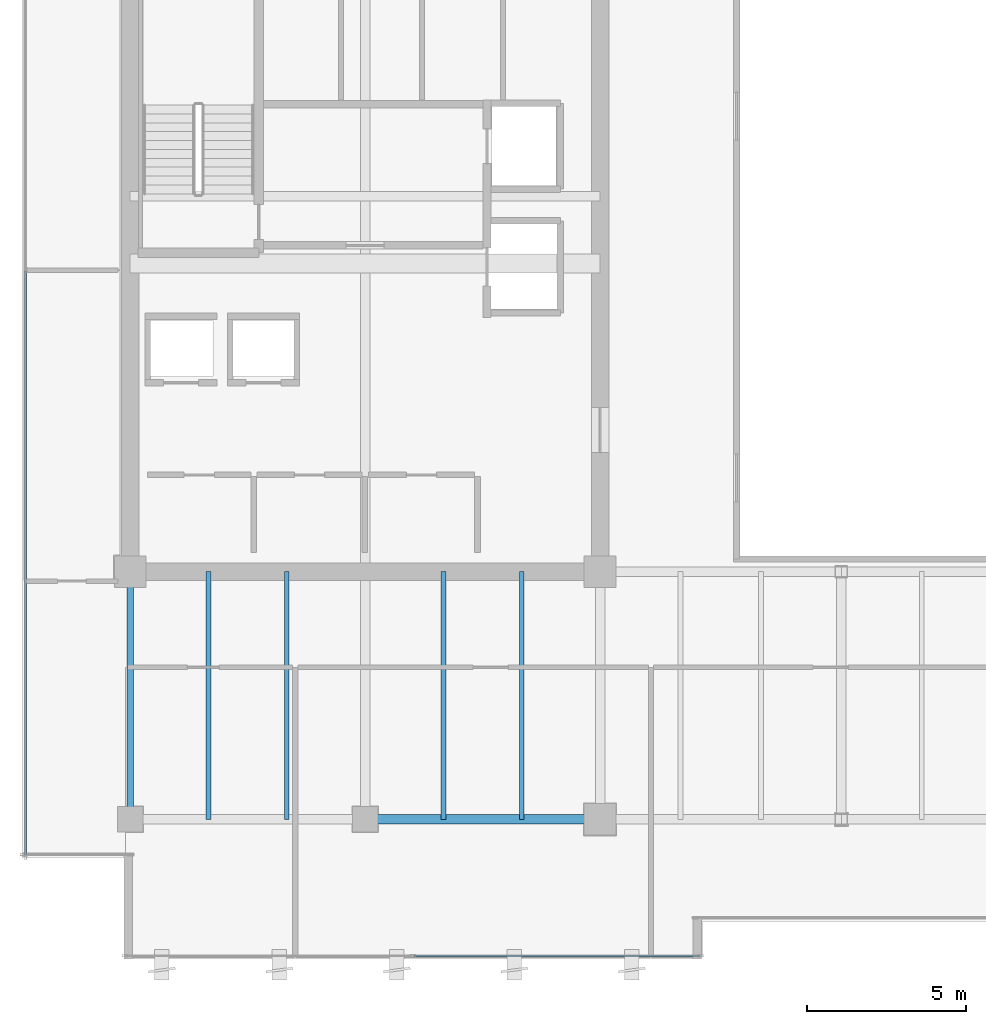
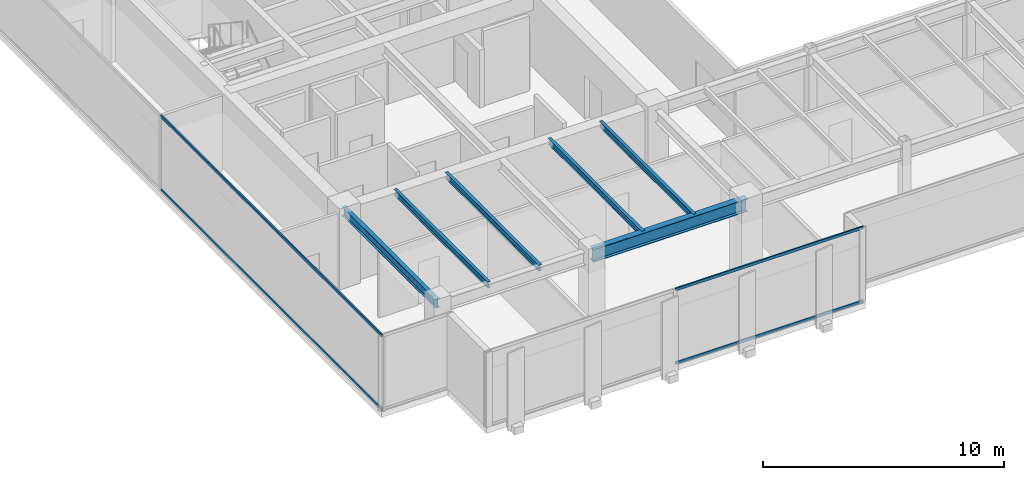
# One storey, part 6 of 36: 6 beams, 4 members, 2 elements without a shape of their own.
"""IFC4 building model written with IfcOpenShell, lengths in metres."""

from ifc_helpers import new_model, si_unit, direction, frame, origin, origin_2d, place, context, subcontext, project, spatial, hollow_rectangle, i_section, extrude, source, transform, mapped, material, layer, layer_set, material_profile, profile_set, type_object, type_shapes, element, aggregate, save


model = new_model("IFC4")

# Units and contexts
model_context = context("Model", 3, precision=1e-05, world=origin(), true_north=direction((0.0, 1.0)))
body_context = subcontext(model_context, "Body", "Model", "MODEL_VIEW")
ifc_project = project(units=[si_unit("LENGTHUNIT", "METRE"), si_unit("AREAUNIT", "SQUARE_METRE"), si_unit("VOLUMEUNIT", "CUBIC_METRE"), si_unit("PLANEANGLEUNIT", "RADIAN"), si_unit("MASSUNIT", "GRAM", prefix="KILO")], contexts=[model_context])

# Site, building, storey
site_placement = place(None, origin())
site = spatial("IfcSite", under=ifc_project, at=site_placement, CompositionType="ELEMENT")
building_placement = place(site_placement, origin())
building = spatial("IfcBuilding", under=site, at=building_placement, Name="Haelvirn Gate Laboratories", CompositionType="ELEMENT")
storey_placement = place(building_placement, frame((0.0, 0.0, 242.39990234375)))
storey = spatial("IfcBuildingStorey", under=building, at=storey_placement, Name="L58", CompositionType="ELEMENT", Elevation=242.39990234375)

# Beams
ifc_material_1 = material(Name="Steel SM355", Category="steel")
ifc_material_profile_1 = material_profile(ifc_material_1, i_section(OverallWidth=0.14990234375, OverallDepth=0.300048828125, WebThickness=0.006591796875, FlangeThickness=0.009033203125, at=origin_2d()), Name="H-300x150x6.5x9")
ifc_profile_set_1 = profile_set([ifc_material_profile_1], Name="Steel SM355")
beam_type_1 = type_object("IfcBeamType", Name="BM-J-300", PredefinedType="JOIST", material=ifc_profile_set_1)
shared_shape_1 = source(origin(), body_context, "Body", "SweptSolid", [
    extrude(i_section(OverallWidth=0.14990234375, OverallDepth=0.300048828125, WebThickness=0.006591796875, FlangeThickness=0.009033203125, at=origin_2d()), origin(), (0.0, 0.0, 1.0), 7.800048828125),
])
type_shapes(beam_type_1, [shared_shape_1])
for number, where, z_axis, x_axis, name in (
    (1, (9.8701171875, 7.0, 3.650146484375), (0.0, 1.0, 0.0), (-1.0, 0.0, 0.0), "L58 Composite Lab Joist South X9.87"),
    (2, (12.330078125, 7.0, 3.650146484375), (0.0, 1.0, 0.0), (-1.0, 0.0, 0.0), "L58 Composite Lab Joist South X12.33"),
    (3, (17.27001953125, 7.0, 3.650146484375), (0.0, 1.0, 0.0), (-1.0, 0.0, 0.0), "L58 Composite Lab Joist South X17.27"),
    (4, (19.72998046875, 7.0, 3.650146484375), (0.0, 1.0, 0.0), (-1.0, 0.0, 0.0), "L58 Composite Lab Joist South X19.73"),
):
    element("IfcBeam", number, at=place(storey_placement, frame(where, z_axis=z_axis, x_axis=x_axis)), inside=storey, type_object=beam_type_1, Name=name, PredefinedType="JOIST", context=body_context, shape_type="MappedRepresentation", body=[
        mapped(shared_shape_1, transform((0.0, 0.0, 0.0), scale=1.0)),
    ])
ifc_material_profile_2 = material_profile(ifc_material_1, i_section(OverallWidth=0.300048828125, OverallDepth=0.64990234375, WebThickness=0.012939453125, FlangeThickness=0.02197265625, at=origin_2d()), Name="H-650x300x13x22")
ifc_profile_set_2 = profile_set([ifc_material_profile_2], Name="Steel SM355")
beam_type_2 = type_object("IfcBeamType", Name="BM-G-650", PredefinedType="BEAM", material=ifc_profile_set_2)
shared_shape_2 = source(origin(), body_context, "Body", "SweptSolid", [
    extrude(i_section(OverallWidth=0.300048828125, OverallDepth=0.64990234375, WebThickness=0.012939453125, FlangeThickness=0.02197265625, at=origin_2d()), origin(), (0.0, 0.0, 1.0), 7.39990234375),
])
type_shapes(beam_type_2, [shared_shape_2])
beam_1_placement = place(storey_placement, frame((14.800048828125, 7.0, 3.47509765625), z_axis=(1.0, 0.0, 0.0), x_axis=(0.0, 1.0, 0.0)))
element("IfcBeam", 5, at=beam_1_placement, inside=storey, type_object=beam_type_2, Name="L58 Primary Girder Y7.0 (14.8-22.2)", PredefinedType="BEAM", context=body_context, shape_type="MappedRepresentation", body=[
    mapped(shared_shape_2, transform((0.0, 0.0, 0.0), scale=1.0)),
])
ifc_material_profile_3 = material_profile(ifc_material_1, i_section(OverallWidth=0.199951171875, OverallDepth=0.449951171875, WebThickness=0.009033203125, FlangeThickness=0.013916015625, at=origin_2d()), Name="H-450x200x9x14")
ifc_profile_set_3 = profile_set([ifc_material_profile_3], Name="Steel SM355")
beam_type_3 = type_object("IfcBeamType", Name="BM-SP-450", PredefinedType="SPANDREL", material=ifc_profile_set_3)
shared_shape_3 = source(origin(), body_context, "Body", "SweptSolid", [
    extrude(i_section(OverallWidth=0.199951171875, OverallDepth=0.449951171875, WebThickness=0.009033203125, FlangeThickness=0.013916015625, at=origin_2d()), origin(), (0.0, 0.0, 1.0), 7.800048828125),
])
type_shapes(beam_type_3, [shared_shape_3])
beam_2_placement = place(storey_placement, frame((7.39990234375, 7.0, 3.5751953125), z_axis=(0.0, 1.0, 0.0), x_axis=(-1.0, 0.0, 0.0)))
element("IfcBeam", 6, at=beam_2_placement, inside=storey, type_object=beam_type_3, Name="L58 Perimeter Spandrel X7.4 (7.0-14.8)", PredefinedType="SPANDREL", context=body_context, shape_type="MappedRepresentation", body=[
    mapped(shared_shape_3, transform((0.0, 0.0, 0.0), scale=1.0)),
])

# Curtain wall, members
ifc_material_2 = material(Name="Anodised bronze unitised aluminium & triple low-E glass", Category="aluminium")
ifc_layer = layer(ifc_material_2, 0.176025390625, Name="CW-SYS-4")
ifc_layer_set = layer_set([ifc_layer], Name="Anodised bronze unitised aluminium & triple low-E glass")
curtain_wall_type = type_object("IfcCurtainWallType", Name="CW-SYS-4", PredefinedType="NOTDEFINED", material=ifc_layer_set)
curtain_wall_1_placement = place(storey_placement, origin())
curtain_wall_1 = element("IfcCurtainWall", 7, at=curtain_wall_1_placement, inside=storey, type_object=curtain_wall_type, Name="L58 Unitised Curtain Wall CW-L58-P0-E00-1", PredefinedType="NOTDEFINED")
ifc_material_3 = material(Name="Extruded aluminium 6063-T6 (anodised bronze)", Category="aluminium")
ifc_material_profile_4 = material_profile(ifc_material_3, hollow_rectangle(XDim=0.06494140625, YDim=0.139892578125, WallThickness=0.00390625, at=origin_2d()), Name="CWT-140x65x4")
ifc_profile_set_4 = profile_set([ifc_material_profile_4], Name="Extruded aluminium 6063-T6 (anodised bronze)")
member_type = type_object("IfcMemberType", Name="CWT-T140", PredefinedType="USERDEFINED", material=ifc_profile_set_4)
shared_shape_4 = source(origin(), body_context, "Body", "SweptSolid", [
    extrude(hollow_rectangle(XDim=0.06494140625, YDim=0.139892578125, WallThickness=0.00390625, at=origin_2d()), origin(), (0.0, 0.0, 1.0), 8.9951171875),
])
member_1_placement = place(storey_placement, frame((16.3349609375, 2.699951171875, 0.03271484375), z_axis=(1.0, 0.0, 0.0), x_axis=(0.0, 1.0, 0.0)))
member_1 = element("IfcMember", 8, at=member_1_placement, type_object=member_type, Name="CW4 transom 2.1", ObjectType="TRANSOM", PredefinedType="USERDEFINED", context=body_context, shape_type="MappedRepresentation", body=[
    mapped(shared_shape_4, transform((0.0, 0.0, 0.0), scale=1.0)),
])
member_2_placement = place(storey_placement, frame((16.3349609375, 2.699951171875, 3.767578125), z_axis=(1.0, 0.0, 0.0), x_axis=(0.0, 1.0, 0.0)))
member_2 = element("IfcMember", 9, at=member_2_placement, type_object=member_type, Name="CW4 transom 2.2", ObjectType="TRANSOM", PredefinedType="USERDEFINED", context=body_context, shape_type="MappedRepresentation", body=[
    mapped(shared_shape_4, transform((0.0, 0.0, 0.0), scale=1.0)),
])
aggregate(curtain_wall_1, [member_1, member_2])

curtain_wall_2_placement = place(storey_placement, origin())
curtain_wall_2 = element("IfcCurtainWall", 10, at=curtain_wall_2_placement, inside=storey, type_object=curtain_wall_type, Name="L58 Unitised Curtain Wall CW-L58-P0-E17", PredefinedType="NOTDEFINED")
shared_shape_5 = source(origin(), body_context, "Body", "SweptSolid", [
    extrude(hollow_rectangle(XDim=0.06494140625, YDim=0.139892578125, WallThickness=0.00390625, at=origin_2d()), origin(), (0.0, 0.0, 1.0), 18.394775390625),
])
type_shapes(member_type, [shared_shape_4, shared_shape_5])
member_3_placement = place(storey_placement, frame((4.10009765625, 24.264892578125, 0.03271484375), z_axis=(0.0, -1.0, 0.0), x_axis=(1.0, 0.0, 0.0)))
member_3 = element("IfcMember", 11, at=member_3_placement, type_object=member_type, Name="CW4 transom 2.1", ObjectType="TRANSOM", PredefinedType="USERDEFINED", context=body_context, shape_type="MappedRepresentation", body=[
    mapped(shared_shape_5, transform((0.0, 0.0, 0.0), scale=1.0)),
])
member_4_placement = place(storey_placement, frame((4.10009765625, 24.264892578125, 3.767578125), z_axis=(0.0, -1.0, 0.0), x_axis=(1.0, 0.0, 0.0)))
member_4 = element("IfcMember", 12, at=member_4_placement, type_object=member_type, Name="CW4 transom 2.2", ObjectType="TRANSOM", PredefinedType="USERDEFINED", context=body_context, shape_type="MappedRepresentation", body=[
    mapped(shared_shape_5, transform((0.0, 0.0, 0.0), scale=1.0)),
])
aggregate(curtain_wall_2, [member_3, member_4])

save(model, "model.ifc")
